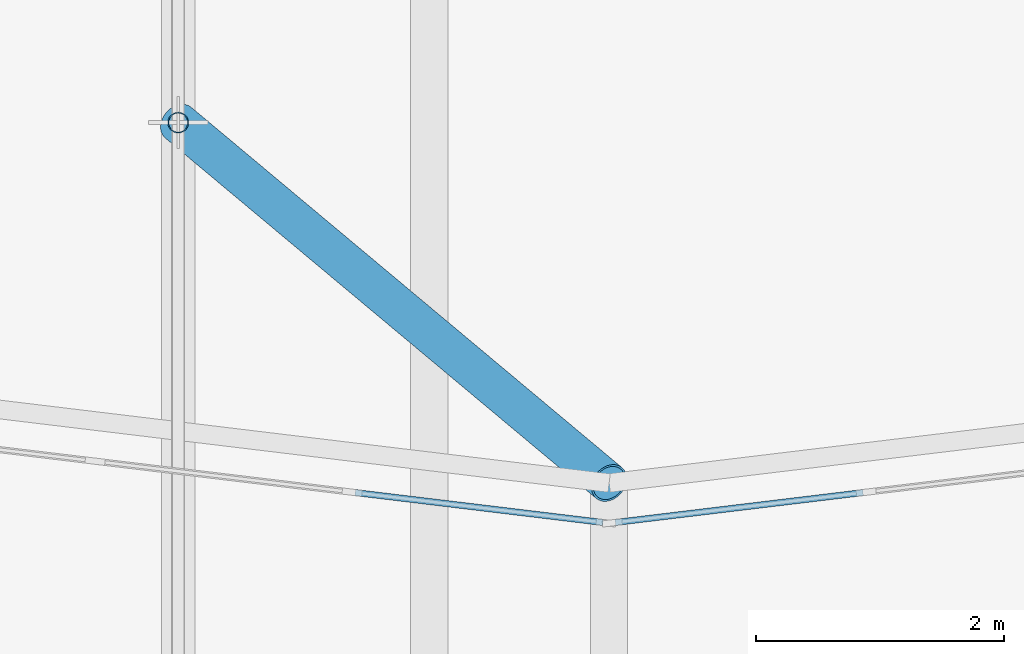
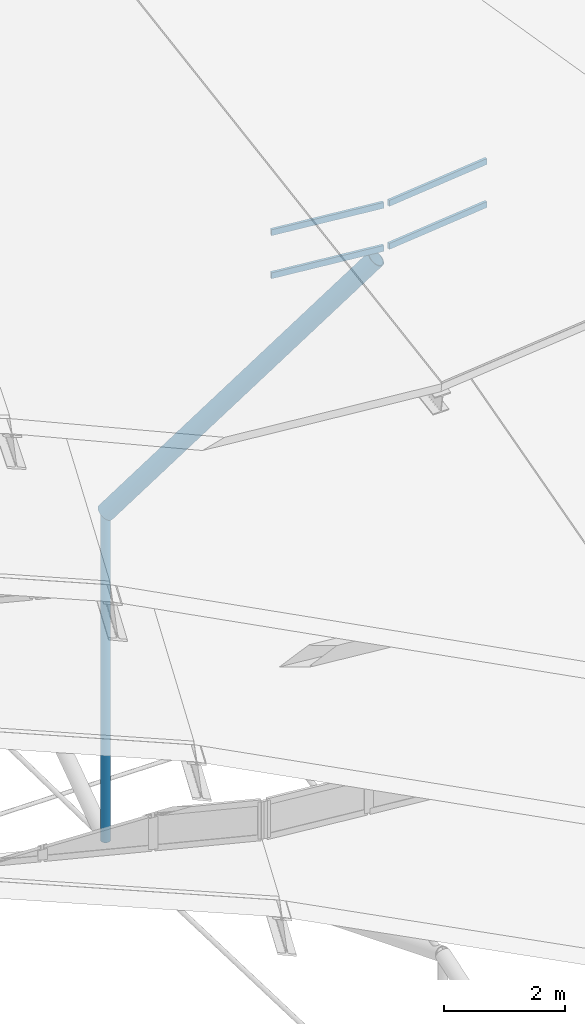
# One storey, part 18 of 173: 6 members, 2 elements without a shape of their own.
"""IFC4 building model written with IfcOpenShell, lengths in metres."""

from ifc_helpers import new_model, si_unit, direction, frame, origin, origin_2d, place, context, subcontext, project, spatial, rectangle, hollow_circle, extrude, material, material_profile, profile_set, type_object, element, aggregate, save


model = new_model("IFC4")

# Units and contexts
model_context = context("Model", 3, precision=1e-05, world=origin(), true_north=direction((0.0, 1.0)))
body_context = subcontext(model_context, "Body", "Model", "MODEL_VIEW")
ifc_project = project(units=[si_unit("LENGTHUNIT", "METRE"), si_unit("AREAUNIT", "SQUARE_METRE"), si_unit("VOLUMEUNIT", "CUBIC_METRE"), si_unit("PLANEANGLEUNIT", "RADIAN"), si_unit("MASSUNIT", "GRAM", prefix="KILO")], contexts=[model_context])

# Site, building, storey
site_placement = place(None, origin())
site = spatial("IfcSite", under=ifc_project, at=site_placement, CompositionType="ELEMENT")
building_placement = place(site_placement, origin())
building = spatial("IfcBuilding", under=site, at=building_placement, Name="Glasvene Arena", CompositionType="ELEMENT")
storey_placement = place(building_placement, frame((0.0, 0.0, 28.800048828125)))
storey = spatial("IfcBuildingStorey", under=building, at=storey_placement, Name="RF", CompositionType="ELEMENT", Elevation=28.800048828125)

# Curtain wall, members
ifc_material_1 = material(Name="Low-emissivity laminated double glazing", Category="glass")
curtain_wall_type = type_object("IfcCurtainWallType", Name="CW-PET4-626x92", PredefinedType="USERDEFINED", material=ifc_material_1)
curtain_wall_1_placement = place(storey_placement, frame((81.438232421875, 48.299560546875, 0.0)))
curtain_wall_1 = element("IfcCurtainWall", 1, at=curtain_wall_1_placement, inside=storey, type_object=curtain_wall_type, Name="Petal ring 4-5 clerestory curtain wall 18", ObjectType="CURTAIN WALL", PredefinedType="USERDEFINED")
ifc_material_2 = material(Name="Anodised architectural aluminium", Category="aluminium")
ifc_material_profile_1 = material_profile(ifc_material_2, rectangle(XDim=0.050048828125, YDim=0.1201171875, at=origin_2d()), Name="ALU TRANSOM 50x120")
ifc_profile_set_1 = profile_set([ifc_material_profile_1], Name="Anodised architectural aluminium")
member_type_1 = type_object("IfcMemberType", Name="CW-TRN-120", PredefinedType="USERDEFINED", material=ifc_profile_set_1)
member_1_placement = place(storey_placement, frame((85.604248046875, 47.796875, 10.554931640625), z_axis=(0.992792125949, -0.119849049451, 0.0), x_axis=(0.119849049451, 0.992792125949, 0.0)))
member_1 = element("IfcMember", 2, at=member_1_placement, type_object=member_type_1, Name="CW-104 transom 3.1", ObjectType="TRANSOM", PredefinedType="USERDEFINED", context=body_context, shape_type="SweptSolid", body=[
    extrude(rectangle(XDim=0.050048828125, YDim=0.1201171875, at=origin_2d()), origin(), (0.0, 0.0, 1.0), 2.010498046875),
])
member_2_placement = place(storey_placement, frame((85.604248046875, 47.796875, 11.4208984375), z_axis=(0.992792125949, -0.119849049451, 0.0), x_axis=(0.119849049451, 0.992792125949, 0.0)))
member_2 = element("IfcMember", 3, at=member_2_placement, type_object=member_type_1, Name="CW-104 transom 3.2", ObjectType="TRANSOM", PredefinedType="USERDEFINED", context=body_context, shape_type="SweptSolid", body=[
    extrude(rectangle(XDim=0.050048828125, YDim=0.1201171875, at=origin_2d()), origin(), (0.0, 0.0, 1.0), 2.010498046875),
])
aggregate(curtain_wall_1, [member_1, member_2])

curtain_wall_2_placement = place(storey_placement, frame((87.64990234375, 47.550048828125, 0.0)))
curtain_wall_2 = element("IfcCurtainWall", 4, at=curtain_wall_2_placement, inside=storey, type_object=curtain_wall_type, Name="Petal ring 4-5 clerestory curtain wall 19", ObjectType="CURTAIN WALL", PredefinedType="USERDEFINED")
member_3_placement = place(storey_placement, frame((87.69970703125, 47.555908203125, 10.554931640625), z_axis=(0.992792125949, 0.119849049451, 0.0), x_axis=(-0.119849049451, 0.992792125949, 0.0)))
member_3 = element("IfcMember", 5, at=member_3_placement, type_object=member_type_1, Name="CW-104 transom 1.1", ObjectType="TRANSOM", PredefinedType="USERDEFINED", context=body_context, shape_type="SweptSolid", body=[
    extrude(rectangle(XDim=0.050048828125, YDim=0.1201171875, at=origin_2d()), origin(), (0.0, 0.0, 1.0), 2.010498046875),
])
member_4_placement = place(storey_placement, frame((87.69970703125, 47.555908203125, 11.4208984375), z_axis=(0.992792125949, 0.119849049451, 0.0), x_axis=(-0.119849049451, 0.992792125949, 0.0)))
member_4 = element("IfcMember", 6, at=member_4_placement, type_object=member_type_1, Name="CW-104 transom 1.2", ObjectType="TRANSOM", PredefinedType="USERDEFINED", context=body_context, shape_type="SweptSolid", body=[
    extrude(rectangle(XDim=0.050048828125, YDim=0.1201171875, at=origin_2d()), origin(), (0.0, 0.0, 1.0), 2.010498046875),
])
aggregate(curtain_wall_2, [member_3, member_4])

# Members
ifc_material_3 = material(Name="Steel S355J2", Category="steel")
ifc_material_profile_2 = material_profile(ifc_material_3, hollow_circle(Radius=0.161865234375, WallThickness=0.01611328125, at=origin_2d()), Name="CHS 323.9x16.0")
ifc_profile_set_2 = profile_set([ifc_material_profile_2], Name="Steel S355J2")
member_type_2 = type_object("IfcMemberType", Name="MB-POST-CHS324", PredefinedType="BRACE", material=ifc_profile_set_2)
member_5_placement = place(storey_placement, frame((84.17822265625, 50.777099609375, 4.472900390625), z_axis=(0.479112767913, -0.400675740929, 0.78096728885), x_axis=(0.641520572267, 0.767105830612, 0.0)))
element("IfcMember", 7, at=member_5_placement, inside=storey, type_object=member_type_2, Name="Petal ring 4 ridge support post 19", PredefinedType="BRACE", context=body_context, shape_type="SweptSolid", body=[
    extrude(hollow_circle(Radius=0.161865234375, WallThickness=0.01611328125, at=origin_2d()), origin(), (0.0, 0.0, 1.0), 7.24609375),
])
ifc_material_profile_3 = material_profile(ifc_material_3, hollow_circle(Radius=0.084228515625, WallThickness=0.008056640625, at=origin_2d()), Name="CHS 168.3x8.0")
ifc_profile_set_3 = profile_set([ifc_material_profile_3], Name="Steel S355J2")
member_type_3 = type_object("IfcMemberType", Name="MB-WEB-CHS168", PredefinedType="BRACE", material=ifc_profile_set_3)
member_6_placement = place(storey_placement, frame((84.17822265625, 50.777099609375, -2.112548828125), z_axis=(0.0, 0.0, 1.0), x_axis=(1.0, 0.0, 0.0)))
element("IfcMember", 8, at=member_6_placement, inside=storey, type_object=member_type_3, Name="Cable-truss vertical strut NS06-02", PredefinedType="BRACE", context=body_context, shape_type="SweptSolid", body=[
    extrude(hollow_circle(Radius=0.084228515625, WallThickness=0.008056640625, at=origin_2d()), origin(), (0.0, 0.0, 1.0), 6.58544921875),
])

save(model, "model.ifc")
